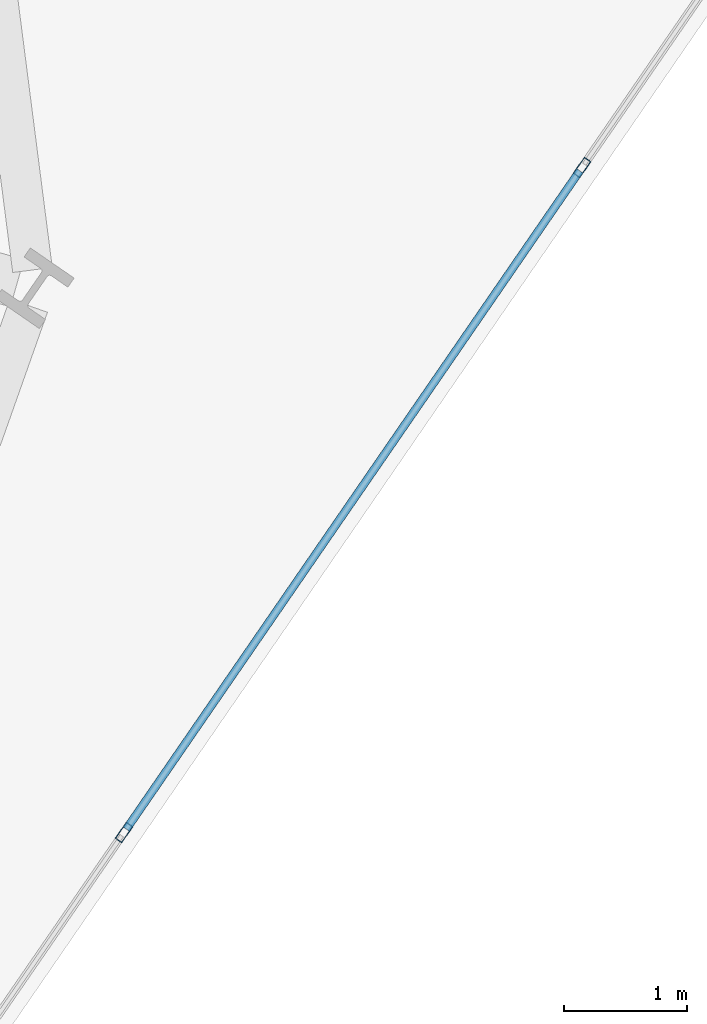
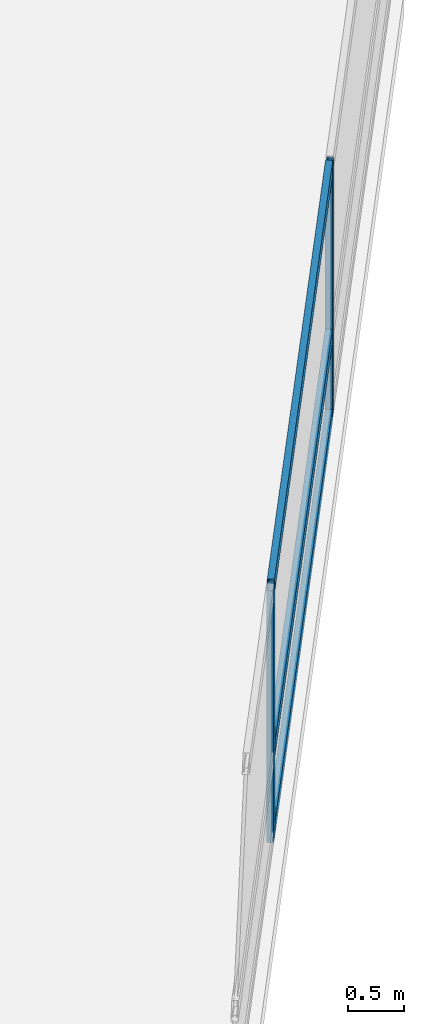
# One storey, part 9 of 25: 5 members, 1 element without a shape of its own.
"""IFC4 building model written with IfcOpenShell, lengths in metres."""

from ifc_helpers import new_model, si_unit, direction, frame, origin, origin_2d, place, context, subcontext, project, spatial, hollow_rectangle, extrude, material, layer, layer_set, material_profile, profile_set, type_object, element, aggregate, save


model = new_model("IFC4")

# Units and contexts
model_context = context("Model", 3, precision=1e-05, world=origin(), true_north=direction((0.0, 1.0)))
body_context = subcontext(model_context, "Body", "Model", "MODEL_VIEW")
ifc_project = project(units=[si_unit("LENGTHUNIT", "METRE"), si_unit("AREAUNIT", "SQUARE_METRE"), si_unit("VOLUMEUNIT", "CUBIC_METRE"), si_unit("PLANEANGLEUNIT", "RADIAN"), si_unit("MASSUNIT", "GRAM", prefix="KILO")], contexts=[model_context])

# Site, building, storey
site_placement = place(None, origin())
site = spatial("IfcSite", under=ifc_project, at=site_placement, CompositionType="ELEMENT")
building_placement = place(site_placement, origin())
building = spatial("IfcBuilding", under=site, at=building_placement, Name="Varnelok Gate Tower", CompositionType="ELEMENT")
storey_placement = place(building_placement, frame((0.0, 0.0, 49.199951171875)))
storey = spatial("IfcBuildingStorey", under=building, at=storey_placement, Name="L11", CompositionType="ELEMENT", Elevation=49.199951171875)

# Curtain wall, members
ifc_material = material(Name="Anodized Aluminum Alloy 6063-T6", Category="aluminium")
ifc_layer = layer(ifc_material, 0.179931640625)
ifc_layer_set = layer_set([ifc_layer], Name="Anodized Aluminum Alloy 6063-T6")
curtain_wall_type = type_object("IfcCurtainWallType", Name="CW3-HOTEL-VISION", PredefinedType="USERDEFINED", material=ifc_layer_set)
curtain_wall_placement = place(storey_placement, origin())
curtain_wall = element("IfcCurtainWall", 1, at=curtain_wall_placement, inside=storey, type_object=curtain_wall_type, Name="L11 East End Vision Curtain Wall", ObjectType="UNITISED CURTAIN WALL", PredefinedType="USERDEFINED")
ifc_material_profile_1 = material_profile(ifc_material, hollow_rectangle(XDim=0.06494140625, YDim=0.159912109375, WallThickness=0.00390625, at=origin_2d()), Name="ALU160X65X4")
ifc_profile_set_1 = profile_set([ifc_material_profile_1], Name="Anodized Aluminum Alloy 6063-T6")
member_type_1 = type_object("IfcMemberType", Name="CW-MULL-160", PredefinedType="MULLION", material=ifc_profile_set_1)
member_1_placement = place(storey_placement, frame((78.8173828125, 13.958251953125, 0.0), z_axis=(0.0, 0.0, 1.0), x_axis=(0.823532685111, -0.567268822124, 0.0)))
member_1 = element("IfcMember", 2, at=member_1_placement, type_object=member_type_1, Name="CW3 mullion 2", PredefinedType="MULLION", context=body_context, shape_type="SweptSolid", body=[
    extrude(hollow_rectangle(XDim=0.06494140625, YDim=0.159912109375, WallThickness=0.00390625, at=origin_2d()), origin(), (0.0, 0.0, 1.0), 2.72998046875),
])
member_2_placement = place(storey_placement, frame((75.09228515625, 8.55029296875, 0.0), z_axis=(0.0, 0.0, 1.0), x_axis=(0.823532685111, -0.567268822124, 0.0)))
member_2 = element("IfcMember", 3, at=member_2_placement, type_object=member_type_1, Name="CW3 mullion 3", PredefinedType="MULLION", context=body_context, shape_type="SweptSolid", body=[
    extrude(hollow_rectangle(XDim=0.06494140625, YDim=0.159912109375, WallThickness=0.00390625, at=origin_2d()), origin(), (0.0, 0.0, 1.0), 2.72998046875),
])
ifc_material_profile_2 = material_profile(ifc_material, hollow_rectangle(XDim=0.06494140625, YDim=0.159912109375, WallThickness=0.00390625, at=origin_2d()), Name="ALU160X65X4")
ifc_profile_set_2 = profile_set([ifc_material_profile_2], Name="Anodized Aluminum Alloy 6063-T6")
member_type_2 = type_object("IfcMemberType", Name="CW-TRAN-160", PredefinedType="USERDEFINED", material=ifc_profile_set_2)
member_3_placement = place(storey_placement, frame((78.798828125, 13.931396484375, 0.032470703125), z_axis=(-0.567279204469, -0.823525533409, 0.0), x_axis=(0.823525533409, -0.567279204469, 0.0)))
member_3 = element("IfcMember", 4, at=member_3_placement, type_object=member_type_2, Name="CW3 transom 2.1", ObjectType="TRANSOM", PredefinedType="USERDEFINED", context=body_context, shape_type="SweptSolid", body=[
    extrude(hollow_rectangle(XDim=0.06494140625, YDim=0.159912109375, WallThickness=0.00390625, at=origin_2d()), origin(), (0.0, 0.0, 1.0), 6.501708984375),
])
member_4_placement = place(storey_placement, frame((78.798828125, 13.931396484375, 0.900146484375), z_axis=(-0.567279204469, -0.823525533409, 0.0), x_axis=(0.823525533409, -0.567279204469, 0.0)))
member_4 = element("IfcMember", 5, at=member_4_placement, type_object=member_type_2, Name="CW3 transom 2.2", ObjectType="TRANSOM", PredefinedType="USERDEFINED", context=body_context, shape_type="SweptSolid", body=[
    extrude(hollow_rectangle(XDim=0.06494140625, YDim=0.159912109375, WallThickness=0.00390625, at=origin_2d()), origin(), (0.0, 0.0, 1.0), 6.501708984375),
])
member_5_placement = place(storey_placement, frame((78.798828125, 13.931396484375, 2.697509765625), z_axis=(-0.567279204469, -0.823525533409, 0.0), x_axis=(0.823525533409, -0.567279204469, 0.0)))
member_5 = element("IfcMember", 6, at=member_5_placement, type_object=member_type_2, Name="CW3 transom 2.3", ObjectType="TRANSOM", PredefinedType="USERDEFINED", context=body_context, shape_type="SweptSolid", body=[
    extrude(hollow_rectangle(XDim=0.06494140625, YDim=0.159912109375, WallThickness=0.00390625, at=origin_2d()), origin(), (0.0, 0.0, 1.0), 6.501708984375),
])
aggregate(curtain_wall, [member_1, member_2, member_3, member_4, member_5])

save(model, "model.ifc")
